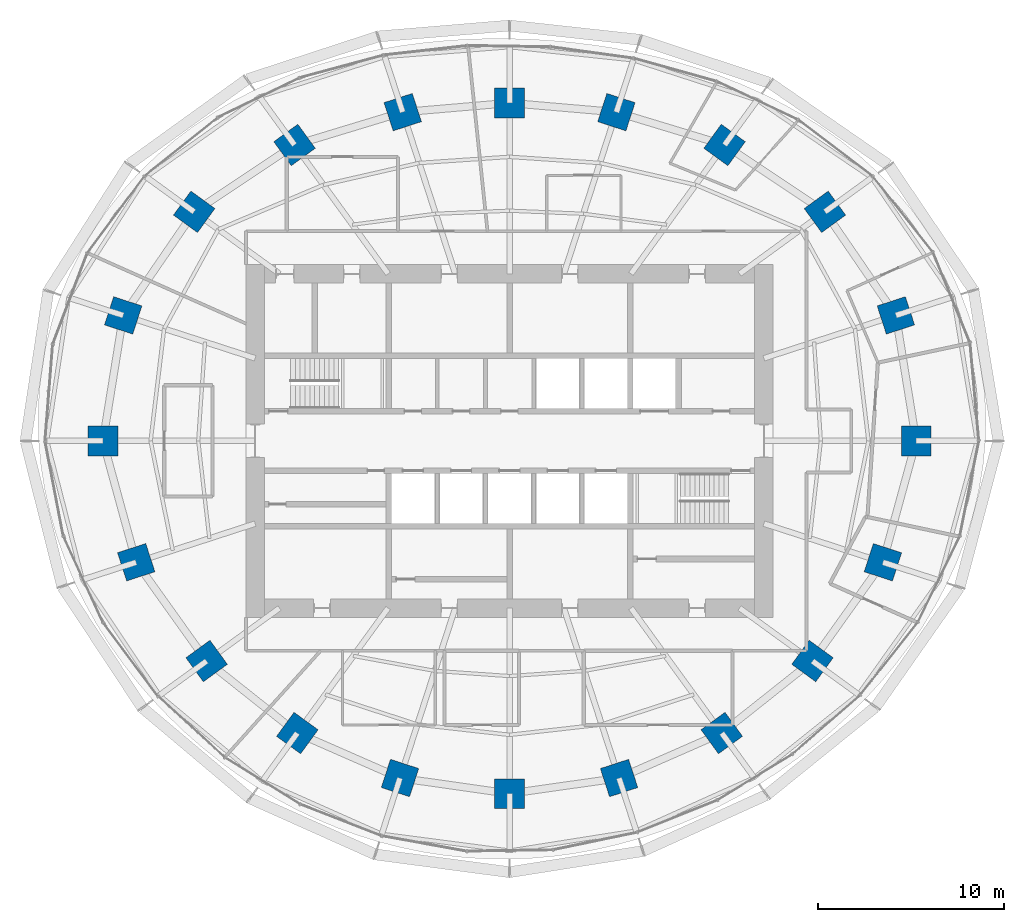
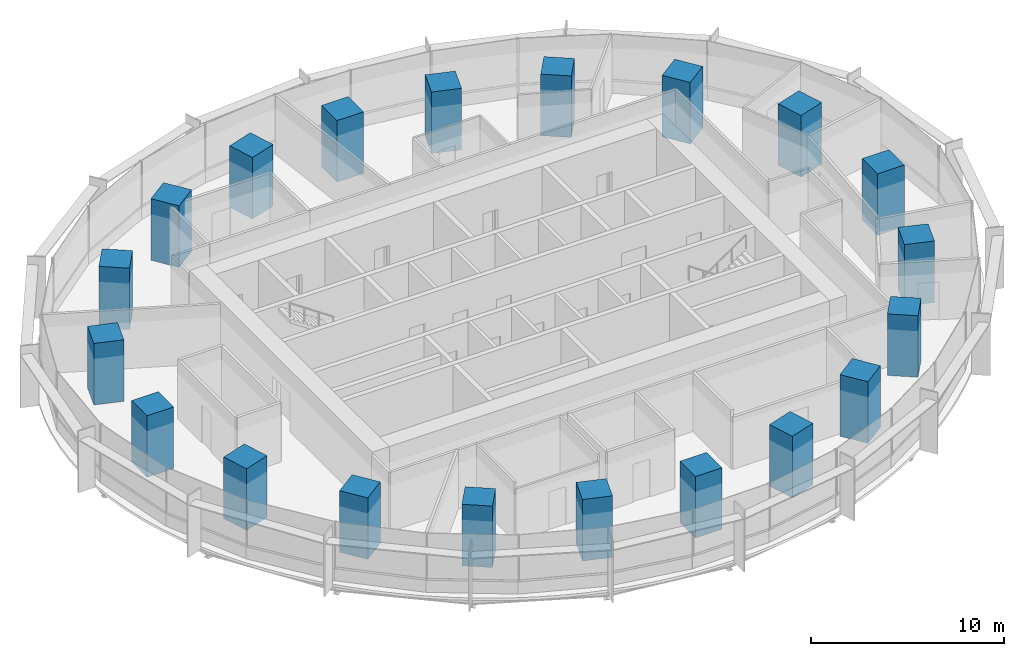
# One storey, part 1 of 14: 20 columns.
"""IFC4 building model written with IfcOpenShell, lengths in metres."""

import ifcopenshell
import ifcopenshell.guid

model = None  # the IFC model being written
_history = None  # IfcOwnerHistory: only IFC2X3 demands one
_inside = {}  # id of a spatial element -> (the spatial element, [elements in it])
_under = {}  # id of a project, library or spatial element -> (it, [spatial elements below it])
_declared = {}  # id of a project -> (the project, [libraries it declares])
_typed = {}  # id of a type object -> (the type object, [elements of that type])
_made_of = {}  # id of a material, layer set ... -> (it, [elements and type objects made of it])


def new_model(schema):
    """Start an empty IFC model of exactly this schema.

    Asked for "IFC4X3", IfcOpenShell would pick the latest addendum, in which some entities
    have other attributes; the version numbers below select the first issue.
    IFC2X3 requires an IfcOwnerHistory on every rooted entity: one is made here for all.
    """
    global model, _history
    if schema == "IFC4X3":
        model = ifcopenshell.file(schema_version=(4, 3, 0, 0))
    else:
        model = ifcopenshell.file(schema=schema)
    _inside.clear()
    _under.clear()
    _declared.clear()
    _typed.clear()
    _made_of.clear()
    _history = None
    if model.schema == "IFC2X3":
        org = make("IfcOrganization", Name="unknown")
        user = make(
            "IfcPersonAndOrganization",
            ThePerson=make("IfcPerson", FamilyName="unknown"),
            TheOrganization=org,
        )
        app = make(
            "IfcApplication",
            ApplicationDeveloper=org,
            Version="unknown",
            ApplicationFullName="unknown",
            ApplicationIdentifier="unknown",
        )
        _history = make(
            "IfcOwnerHistory",
            OwningUser=user,
            OwningApplication=app,
            ChangeAction="ADDED",
            CreationDate=0,
        )
    return model


def make(cls, **values):
    """One entity of the class cls with the attributes given. An attribute that is None is left unset."""
    return model.create_entity(
        cls, **{name: value for name, value in values.items() if value is not None}
    )


def rooted(cls, **values):
    """An entity with a GlobalId (a new one), such as an element, a storey or a relation."""
    return make(cls, GlobalId=ifcopenshell.guid.new(), OwnerHistory=_history, **values)


def si_unit(unit_type, name, prefix=None):
    """IfcSIUnit, for example si_unit("LENGTHUNIT", "METRE", prefix="MILLI")."""
    return make("IfcSIUnit", UnitType=unit_type, Prefix=prefix, Name=name)


def assignment(units):
    """IfcUnitAssignment: the units of a project."""
    return None if units is None else make("IfcUnitAssignment", Units=units)


def point(xyz):
    """IfcCartesianPoint."""
    return None if xyz is None else make("IfcCartesianPoint", Coordinates=xyz)


def direction(xyz):
    """IfcDirection."""
    return None if xyz is None else make("IfcDirection", DirectionRatios=xyz)


def frame(location, z_axis=None, x_axis=None):
    """IfcAxis2Placement3D, a coordinate frame: its origin and axes. An axis left out is left unset."""
    return make(
        "IfcAxis2Placement3D",
        Location=point(location),
        Axis=direction(z_axis),
        RefDirection=direction(x_axis),
    )


def frame_2d(location, x_axis=None):
    """IfcAxis2Placement2D, a coordinate frame in the plane: its origin and x axis."""
    return make(
        "IfcAxis2Placement2D", Location=point(location), RefDirection=direction(x_axis)
    )


def origin():
    """The frame at (0, 0, 0) with its axes left unset."""
    return frame((0.0, 0.0, 0.0))


def origin_2d():
    """The frame at (0, 0) in the plane with its x axis left unset."""
    return frame_2d((0.0, 0.0))


def place(relative_to, where):
    """IfcLocalPlacement: puts the frame where relative to a parent placement (None: the world)."""
    return make(
        "IfcLocalPlacement", PlacementRelTo=relative_to, RelativePlacement=where
    )


def context(
    kind, dimensions, precision=None, world=None, true_north=None, identifier=None
):
    """IfcGeometricRepresentationContext, for example the 3D "Model" context."""
    return make(
        "IfcGeometricRepresentationContext",
        ContextIdentifier=identifier,
        ContextType=kind,
        CoordinateSpaceDimension=dimensions,
        Precision=precision,
        WorldCoordinateSystem=world,
        TrueNorth=true_north,
    )


def subcontext(parent, identifier, kind, view, scale=None):
    """IfcGeometricRepresentationSubContext, for example "Body" below "Model"."""
    return make(
        "IfcGeometricRepresentationSubContext",
        ContextIdentifier=identifier,
        ContextType=kind,
        ParentContext=parent,
        TargetScale=scale,
        TargetView=view,
    )


def project(units=None, contexts=None):
    """IfcProject with its units and contexts."""
    return rooted(
        "IfcProject",
        Name="project",
        RepresentationContexts=contexts,
        UnitsInContext=assignment(units),
    )


def spatial(cls, under=None, at=None, **own):
    """A site, building, storey or space (cls), placed at a placement, below another one or the project."""
    s = rooted(cls, ObjectPlacement=at, **own)
    if under is not None:
        _under.setdefault(under.id(), (under, []))[1].append(s)
    return s


def profile(cls, at=None, kind="AREA", **sizes):
    """A parametric profile (cls). Its sizes go by their IFC names, for example OverallWidth=200.0."""
    return make(cls, ProfileType=kind, Position=at, **sizes)


def rectangle(**sizes):
    """IfcRectangleProfileDef."""
    return profile("IfcRectangleProfileDef", **sizes)


def extrude(swept, where, along, depth):
    """IfcExtrudedAreaSolid: the profile swept, set in the frame where, extruded along a direction by depth."""
    return make(
        "IfcExtrudedAreaSolid",
        SweptArea=swept,
        Position=where,
        ExtrudedDirection=direction(along),
        Depth=depth,
    )


def shape(context_of_items, identifier, shape_type, items):
    """IfcShapeRepresentation: the items that make up one representation, for example the "Body"."""
    return make(
        "IfcShapeRepresentation",
        ContextOfItems=context_of_items,
        RepresentationIdentifier=identifier,
        RepresentationType=shape_type,
        Items=items,
    )


def material(Name=None, Category=None):
    """IfcMaterial."""
    return make("IfcMaterial", Name=Name, Category=Category)


def material_profile(
    of_material, cross_section, Name=None, Category=None, Priority=None
):
    """IfcMaterialProfile: a cross section and its material."""
    return make(
        "IfcMaterialProfile",
        Name=Name,
        Material=of_material,
        Profile=cross_section,
        Priority=Priority,
        Category=Category,
    )


def profile_set(profiles, Name=None, composite=None):
    """IfcMaterialProfileSet."""
    return make(
        "IfcMaterialProfileSet",
        Name=Name,
        MaterialProfiles=profiles,
        CompositeProfile=composite,
    )


def made_of(thing, what):
    """Note that an element or type object is made of a material, layer set ...; save() writes the relation."""
    if what is not None:
        _made_of.setdefault(what.id(), (what, []))[1].append(thing)
    return thing


def type_object(cls, material=None, **own):
    """A type object (cls), such as IfcWallType, which elements share."""
    return made_of(rooted(cls, **own), material)


def element(
    cls,
    number,
    at=None,
    inside=None,
    cuts=None,
    type_object=None,
    material=None,
    context=None,
    identifier="Body",
    shape_type=None,
    held_by="IfcProductDefinitionShape",
    body=None,
    shapes=None,
    **own,
):
    """One element of the class cls, such as IfcWall. Its Tag is "e" and its number.

    at: its placement. inside: the storey or other place that contains it. cuts: it is an
    opening in that element (IfcRelVoidsElement). A single representation is given by context,
    identifier, shape_type and body (its items); several are given by shapes. held_by: the class
    of the entity that holds the representations. save() writes the other relations.
    """
    e = rooted(cls, Tag="e%d" % number, ObjectPlacement=at, **own)
    if body is not None:
        shapes = [shape(context, identifier, shape_type, body)]
    if shapes is not None:
        e.Representation = make(held_by, Representations=shapes)
    if inside is not None:
        _inside.setdefault(inside.id(), (inside, []))[1].append(e)
    if cuts is not None:
        rooted(
            "IfcRelVoidsElement", RelatingBuildingElement=cuts, RelatedOpeningElement=e
        )
    if type_object is not None:
        _typed.setdefault(type_object.id(), (type_object, []))[1].append(e)
    return made_of(e, material)


def aggregate(whole, parts):
    """IfcRelAggregates: a whole, such as a stair, and the parts it consists of."""
    return rooted("IfcRelAggregates", RelatingObject=whole, RelatedObjects=parts)


def save(model, path):
    """Write the relations noted so far, then the file.

    IfcRelAggregates (storeys below a building ...), IfcRelContainedInSpatialStructure (elements
    in a storey), IfcRelDefinesByType, IfcRelAssociatesMaterial and IfcRelDeclares: one each for
    every whole, place, type object, material and project.
    """
    for whole, parts in _under.values():
        aggregate(whole, parts)
    for where, things in _inside.values():
        rooted(
            "IfcRelContainedInSpatialStructure",
            RelatedElements=things,
            RelatingStructure=where,
        )
    for kind, things in _typed.values():
        rooted("IfcRelDefinesByType", RelatedObjects=things, RelatingType=kind)
    for what, things in _made_of.values():
        rooted("IfcRelAssociatesMaterial", RelatedObjects=things, RelatingMaterial=what)
    for by, libraries in _declared.values():
        rooted("IfcRelDeclares", RelatingContext=by, RelatedDefinitions=libraries)
    model.write(path)


model = new_model("IFC4")

# Units and contexts
model_context = context("Model", 3, precision=1e-05, world=origin(), true_north=direction((0.0, 1.0)))
body_context = subcontext(model_context, "Body", "Model", "MODEL_VIEW")
ifc_project = project(units=[si_unit("LENGTHUNIT", "METRE"), si_unit("AREAUNIT", "SQUARE_METRE"), si_unit("VOLUMEUNIT", "CUBIC_METRE"), si_unit("PLANEANGLEUNIT", "RADIAN"), si_unit("MASSUNIT", "GRAM", prefix="KILO")], contexts=[model_context])

# Site, building, storey
site_placement = place(None, origin())
site = spatial("IfcSite", under=ifc_project, at=site_placement, CompositionType="ELEMENT")
building_placement = place(site_placement, origin())
building = spatial("IfcBuilding", under=site, at=building_placement, Name="Marramba Exchange Tower", CompositionType="ELEMENT")
storey_placement = place(building_placement, frame((0.0, 0.0, 131.39990234375)))
storey = spatial("IfcBuildingStorey", under=building, at=storey_placement, Name="L31", CompositionType="ELEMENT", Elevation=131.39990234375)

# Columns
ifc_material = material(Name="Concrete N50", Category="concrete")
ifc_material_profile = material_profile(ifc_material, rectangle(XDim=1.60009765625, YDim=1.60009765625, at=origin_2d()), Name="RC 1600x1600")
ifc_profile_set = profile_set([ifc_material_profile], Name="Concrete N50")
column_type = type_object("IfcColumnType", Name="Perimeter column RC 1600x1600 N50", PredefinedType="COLUMN", material=ifc_profile_set)
for number, where, z_axis, x_axis, name in (
    (1, (21.89990234375, 0.0, 0.0), (0.0, 0.0, 1.0), (1.0, 0.0, 0.0), "Column TC01 L31"),
    (2, (20.808349609375, 6.760986328125, 0.0), (0.0, 0.0, 1.0), (0.951056516295, 0.309016994375, 0.0), "Column TC02 L31"),
    (3, (16.98583984375, 12.3408203125, 0.0), (0.0, 0.0, 1.0), (0.809016994375, 0.587785252292, 0.0), "Column TC03 L31"),
    (4, (11.581298828125, 15.9404296875, 0.0), (0.0, 0.0, 1.0), (0.587785252292, 0.809016994375, 0.0), "Column TC04 L31"),
    (5, (5.75390625, 17.70849609375, 0.0), (0.0, 0.0, 1.0), (0.309016994375, 0.951056516295, 0.0), "Column TC05 L31"),
    (6, (0.0, 18.2041015625, 0.0), (0.0, 0.0, 1.0), (0.0, 1.0, 0.0), "Column TC06 L31"),
    (7, (-5.75390625, 17.70849609375, 0.0), (0.0, 0.0, 1.0), (-0.309016994375, 0.951056516295, 0.0), "Column TC07 L31"),
    (8, (-11.581298828125, 15.9404296875, 0.0), (0.0, 0.0, 1.0), (-0.587785252292, 0.809016994375, 0.0), "Column TC08 L31"),
    (9, (-16.98583984375, 12.3408203125, 0.0), (0.0, 0.0, 1.0), (-0.809016994375, 0.587785252292, 0.0), "Column TC09 L31"),
    (10, (-20.808349609375, 6.760986328125, 0.0), (0.0, 0.0, 1.0), (-0.951056516295, 0.309016994375, 0.0), "Column TC10 L31"),
    (11, (-21.89990234375, 0.0, 0.0), (0.0, 0.0, 1.0), (-1.0, 0.0, 0.0), "Column TC11 L31"),
    (12, (-20.109375, -6.533935546875, 0.0), (0.0, 0.0, 1.0), (-0.951056516295, -0.309016994375, 0.0), "Column TC12 L31"),
    (13, (-16.3154296875, -11.853759765625, 0.0), (0.0, 0.0, 1.0), (-0.809016994375, -0.587785252292, 0.0), "Column TC13 L31"),
    (14, (-11.430419921875, -15.732666015625, 0.0), (0.0, 0.0, 1.0), (-0.587785252292, -0.809016994375, 0.0), "Column TC14 L31"),
    (15, (-5.899658203125, -18.156982421875, 0.0), (0.0, 0.0, 1.0), (-0.309016994375, -0.951056516295, 0.0), "Column TC15 L31"),
    (16, (0.0, -18.99609375, 0.0), (0.0, 0.0, 1.0), (0.0, -1.0, 0.0), "Column TC16 L31"),
    (17, (5.899658203125, -18.156982421875, 0.0), (0.0, 0.0, 1.0), (0.309016994375, -0.951056516295, 0.0), "Column TC17 L31"),
    (18, (11.430419921875, -15.732666015625, 0.0), (0.0, 0.0, 1.0), (0.587785252292, -0.809016994375, 0.0), "Column TC18 L31"),
    (19, (16.3154296875, -11.853759765625, 0.0), (0.0, 0.0, 1.0), (0.809016994375, -0.587785252292, 0.0), "Column TC19 L31"),
    (20, (20.109375, -6.533935546875, 0.0), (0.0, 0.0, 1.0), (0.951056516295, -0.309016994375, 0.0), "Column TC20 L31"),
):
    element("IfcColumn", number, at=place(storey_placement, frame(where, z_axis=z_axis, x_axis=x_axis)), inside=storey, type_object=column_type, Name=name, PredefinedType="COLUMN", context=body_context, shape_type="SweptSolid", body=[
        extrude(rectangle(XDim=1.60009765625, YDim=1.60009765625, at=origin_2d()), origin(), (0.0, 0.0, 1.0), 3.900146484375),
    ])

save(model, "model.ifc")
